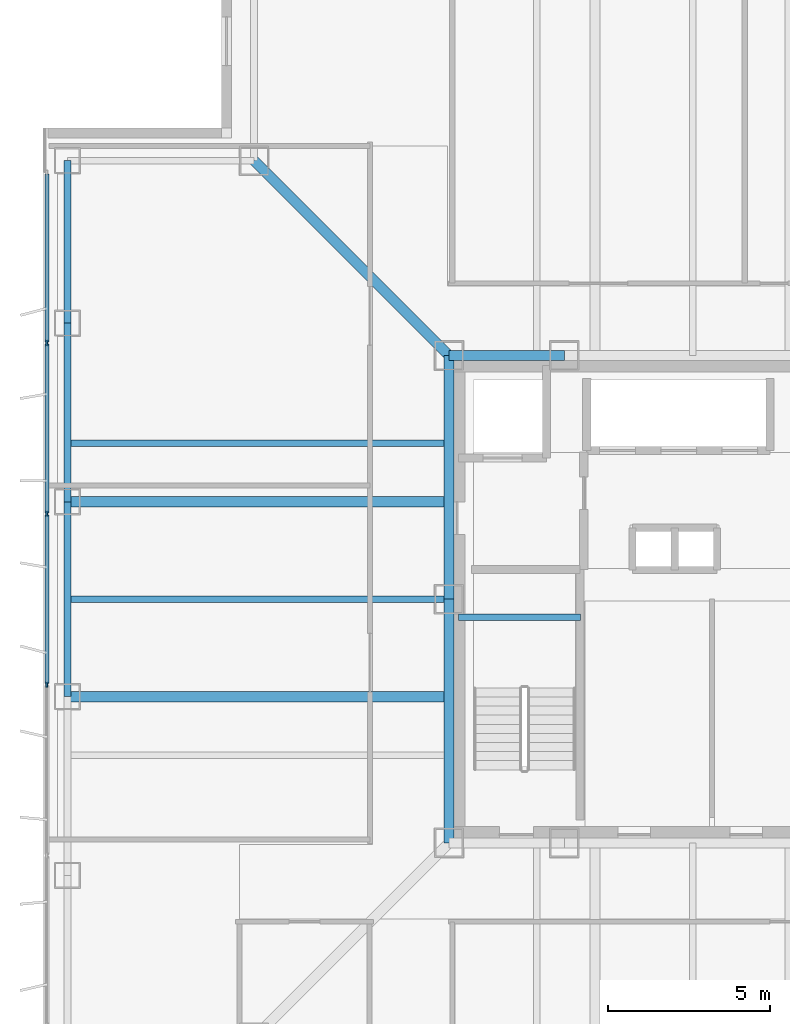
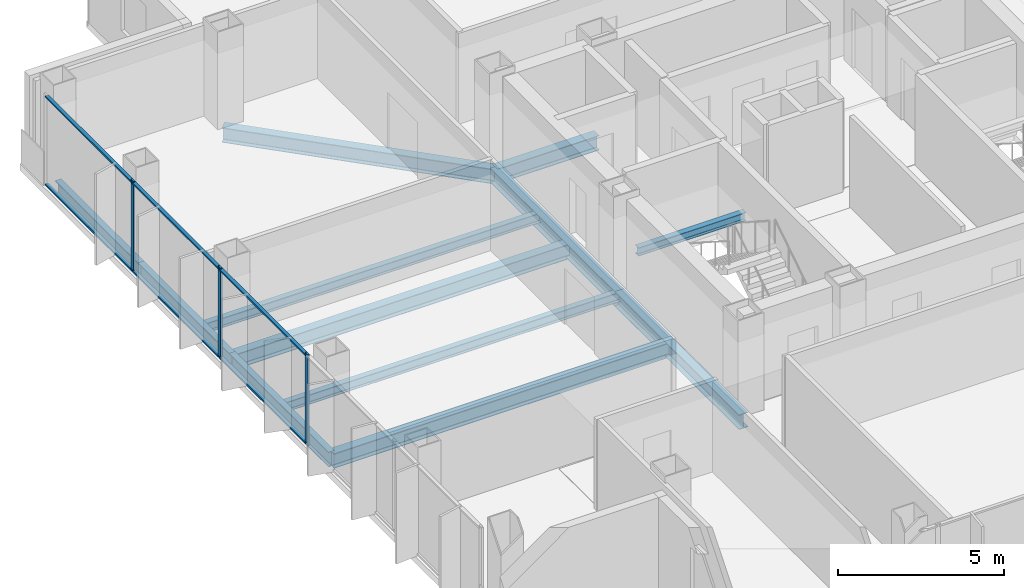
# One storey, part 4 of 17: 12 beams, 9 members, 1 element without a shape of its own.
"""IFC4 building model written with IfcOpenShell, lengths in metres."""

import ifcopenshell
import ifcopenshell.guid

model = None  # the IFC model being written
_history = None  # IfcOwnerHistory: only IFC2X3 demands one
_inside = {}  # id of a spatial element -> (the spatial element, [elements in it])
_under = {}  # id of a project, library or spatial element -> (it, [spatial elements below it])
_declared = {}  # id of a project -> (the project, [libraries it declares])
_typed = {}  # id of a type object -> (the type object, [elements of that type])
_made_of = {}  # id of a material, layer set ... -> (it, [elements and type objects made of it])


def new_model(schema):
    """Start an empty IFC model of exactly this schema.

    Asked for "IFC4X3", IfcOpenShell would pick the latest addendum, in which some entities
    have other attributes; the version numbers below select the first issue.
    IFC2X3 requires an IfcOwnerHistory on every rooted entity: one is made here for all.
    """
    global model, _history
    if schema == "IFC4X3":
        model = ifcopenshell.file(schema_version=(4, 3, 0, 0))
    else:
        model = ifcopenshell.file(schema=schema)
    _inside.clear()
    _under.clear()
    _declared.clear()
    _typed.clear()
    _made_of.clear()
    _history = None
    if model.schema == "IFC2X3":
        org = make("IfcOrganization", Name="unknown")
        user = make(
            "IfcPersonAndOrganization",
            ThePerson=make("IfcPerson", FamilyName="unknown"),
            TheOrganization=org,
        )
        app = make(
            "IfcApplication",
            ApplicationDeveloper=org,
            Version="unknown",
            ApplicationFullName="unknown",
            ApplicationIdentifier="unknown",
        )
        _history = make(
            "IfcOwnerHistory",
            OwningUser=user,
            OwningApplication=app,
            ChangeAction="ADDED",
            CreationDate=0,
        )
    return model


def make(cls, **values):
    """One entity of the class cls with the attributes given. An attribute that is None is left unset."""
    return model.create_entity(
        cls, **{name: value for name, value in values.items() if value is not None}
    )


def rooted(cls, **values):
    """An entity with a GlobalId (a new one), such as an element, a storey or a relation."""
    return make(cls, GlobalId=ifcopenshell.guid.new(), OwnerHistory=_history, **values)


def si_unit(unit_type, name, prefix=None):
    """IfcSIUnit, for example si_unit("LENGTHUNIT", "METRE", prefix="MILLI")."""
    return make("IfcSIUnit", UnitType=unit_type, Prefix=prefix, Name=name)


def assignment(units):
    """IfcUnitAssignment: the units of a project."""
    return None if units is None else make("IfcUnitAssignment", Units=units)


def point(xyz):
    """IfcCartesianPoint."""
    return None if xyz is None else make("IfcCartesianPoint", Coordinates=xyz)


def direction(xyz):
    """IfcDirection."""
    return None if xyz is None else make("IfcDirection", DirectionRatios=xyz)


def frame(location, z_axis=None, x_axis=None):
    """IfcAxis2Placement3D, a coordinate frame: its origin and axes. An axis left out is left unset."""
    return make(
        "IfcAxis2Placement3D",
        Location=point(location),
        Axis=direction(z_axis),
        RefDirection=direction(x_axis),
    )


def frame_2d(location, x_axis=None):
    """IfcAxis2Placement2D, a coordinate frame in the plane: its origin and x axis."""
    return make(
        "IfcAxis2Placement2D", Location=point(location), RefDirection=direction(x_axis)
    )


def origin():
    """The frame at (0, 0, 0) with its axes left unset."""
    return frame((0.0, 0.0, 0.0))


def origin_2d():
    """The frame at (0, 0) in the plane with its x axis left unset."""
    return frame_2d((0.0, 0.0))


def place(relative_to, where):
    """IfcLocalPlacement: puts the frame where relative to a parent placement (None: the world)."""
    return make(
        "IfcLocalPlacement", PlacementRelTo=relative_to, RelativePlacement=where
    )


def context(
    kind, dimensions, precision=None, world=None, true_north=None, identifier=None
):
    """IfcGeometricRepresentationContext, for example the 3D "Model" context."""
    return make(
        "IfcGeometricRepresentationContext",
        ContextIdentifier=identifier,
        ContextType=kind,
        CoordinateSpaceDimension=dimensions,
        Precision=precision,
        WorldCoordinateSystem=world,
        TrueNorth=true_north,
    )


def subcontext(parent, identifier, kind, view, scale=None):
    """IfcGeometricRepresentationSubContext, for example "Body" below "Model"."""
    return make(
        "IfcGeometricRepresentationSubContext",
        ContextIdentifier=identifier,
        ContextType=kind,
        ParentContext=parent,
        TargetScale=scale,
        TargetView=view,
    )


def project(units=None, contexts=None):
    """IfcProject with its units and contexts."""
    return rooted(
        "IfcProject",
        Name="project",
        RepresentationContexts=contexts,
        UnitsInContext=assignment(units),
    )


def spatial(cls, under=None, at=None, **own):
    """A site, building, storey or space (cls), placed at a placement, below another one or the project."""
    s = rooted(cls, ObjectPlacement=at, **own)
    if under is not None:
        _under.setdefault(under.id(), (under, []))[1].append(s)
    return s


def profile(cls, at=None, kind="AREA", **sizes):
    """A parametric profile (cls). Its sizes go by their IFC names, for example OverallWidth=200.0."""
    return make(cls, ProfileType=kind, Position=at, **sizes)


def rectangle(**sizes):
    """IfcRectangleProfileDef."""
    return profile("IfcRectangleProfileDef", **sizes)


def i_section(**sizes):
    """IfcIShapeProfileDef."""
    return profile("IfcIShapeProfileDef", **sizes)


def extrude(swept, where, along, depth):
    """IfcExtrudedAreaSolid: the profile swept, set in the frame where, extruded along a direction by depth."""
    return make(
        "IfcExtrudedAreaSolid",
        SweptArea=swept,
        Position=where,
        ExtrudedDirection=direction(along),
        Depth=depth,
    )


def shape(context_of_items, identifier, shape_type, items):
    """IfcShapeRepresentation: the items that make up one representation, for example the "Body"."""
    return make(
        "IfcShapeRepresentation",
        ContextOfItems=context_of_items,
        RepresentationIdentifier=identifier,
        RepresentationType=shape_type,
        Items=items,
    )


def material(Name=None, Category=None):
    """IfcMaterial."""
    return make("IfcMaterial", Name=Name, Category=Category)


def layer(
    of_material, thickness, ventilated=None, Name=None, Category=None, Priority=None
):
    """IfcMaterialLayer: one layer of a wall or slab, of a material (None: an air gap)."""
    return make(
        "IfcMaterialLayer",
        Material=of_material,
        LayerThickness=thickness,
        IsVentilated=ventilated,
        Name=Name,
        Category=Category,
        Priority=Priority,
    )


def layer_set(layers, Name=None):
    """IfcMaterialLayerSet."""
    return make("IfcMaterialLayerSet", MaterialLayers=layers, LayerSetName=Name)


def material_profile(
    of_material, cross_section, Name=None, Category=None, Priority=None
):
    """IfcMaterialProfile: a cross section and its material."""
    return make(
        "IfcMaterialProfile",
        Name=Name,
        Material=of_material,
        Profile=cross_section,
        Priority=Priority,
        Category=Category,
    )


def profile_set(profiles, Name=None, composite=None):
    """IfcMaterialProfileSet."""
    return make(
        "IfcMaterialProfileSet",
        Name=Name,
        MaterialProfiles=profiles,
        CompositeProfile=composite,
    )


def made_of(thing, what):
    """Note that an element or type object is made of a material, layer set ...; save() writes the relation."""
    if what is not None:
        _made_of.setdefault(what.id(), (what, []))[1].append(thing)
    return thing


def type_object(cls, material=None, **own):
    """A type object (cls), such as IfcWallType, which elements share."""
    return made_of(rooted(cls, **own), material)


def element(
    cls,
    number,
    at=None,
    inside=None,
    cuts=None,
    type_object=None,
    material=None,
    context=None,
    identifier="Body",
    shape_type=None,
    held_by="IfcProductDefinitionShape",
    body=None,
    shapes=None,
    **own,
):
    """One element of the class cls, such as IfcWall. Its Tag is "e" and its number.

    at: its placement. inside: the storey or other place that contains it. cuts: it is an
    opening in that element (IfcRelVoidsElement). A single representation is given by context,
    identifier, shape_type and body (its items); several are given by shapes. held_by: the class
    of the entity that holds the representations. save() writes the other relations.
    """
    e = rooted(cls, Tag="e%d" % number, ObjectPlacement=at, **own)
    if body is not None:
        shapes = [shape(context, identifier, shape_type, body)]
    if shapes is not None:
        e.Representation = make(held_by, Representations=shapes)
    if inside is not None:
        _inside.setdefault(inside.id(), (inside, []))[1].append(e)
    if cuts is not None:
        rooted(
            "IfcRelVoidsElement", RelatingBuildingElement=cuts, RelatedOpeningElement=e
        )
    if type_object is not None:
        _typed.setdefault(type_object.id(), (type_object, []))[1].append(e)
    return made_of(e, material)


def aggregate(whole, parts):
    """IfcRelAggregates: a whole, such as a stair, and the parts it consists of."""
    return rooted("IfcRelAggregates", RelatingObject=whole, RelatedObjects=parts)


def save(model, path):
    """Write the relations noted so far, then the file.

    IfcRelAggregates (storeys below a building ...), IfcRelContainedInSpatialStructure (elements
    in a storey), IfcRelDefinesByType, IfcRelAssociatesMaterial and IfcRelDeclares: one each for
    every whole, place, type object, material and project.
    """
    for whole, parts in _under.values():
        aggregate(whole, parts)
    for where, things in _inside.values():
        rooted(
            "IfcRelContainedInSpatialStructure",
            RelatedElements=things,
            RelatingStructure=where,
        )
    for kind, things in _typed.values():
        rooted("IfcRelDefinesByType", RelatedObjects=things, RelatingType=kind)
    for what, things in _made_of.values():
        rooted("IfcRelAssociatesMaterial", RelatedObjects=things, RelatingMaterial=what)
    for by, libraries in _declared.values():
        rooted("IfcRelDeclares", RelatingContext=by, RelatedDefinitions=libraries)
    model.write(path)


model = new_model("IFC4")

# Units and contexts
model_context = context("Model", 3, precision=1e-05, world=origin(), true_north=direction((0.0, 1.0)))
body_context = subcontext(model_context, "Body", "Model", "MODEL_VIEW")
ifc_project = project(units=[si_unit("LENGTHUNIT", "METRE"), si_unit("AREAUNIT", "SQUARE_METRE"), si_unit("VOLUMEUNIT", "CUBIC_METRE"), si_unit("PLANEANGLEUNIT", "RADIAN"), si_unit("MASSUNIT", "GRAM", prefix="KILO")], contexts=[model_context])

# Site, building, storey
site_placement = place(None, origin())
site = spatial("IfcSite", under=ifc_project, at=site_placement, CompositionType="ELEMENT")
building_placement = place(site_placement, origin())
building = spatial("IfcBuilding", under=site, at=building_placement, Name="Trevonay Congress Spire", CompositionType="ELEMENT")
storey_placement = place(building_placement, frame((0.0, 0.0, 184.199951171875)))
storey = spatial("IfcBuildingStorey", under=building, at=storey_placement, Name="L47", CompositionType="ELEMENT", Elevation=184.199951171875)

# Beams
ifc_material_1 = material(Name="Steel ASTM A572 Grade 50", Category="steel")
ifc_material_profile_1 = material_profile(ifc_material_1, i_section(OverallWidth=0.31201171875, OverallDepth=0.54296875, WebThickness=0.0126953125, FlangeThickness=0.020263671875, FilletRadius=0.014892578125, at=origin_2d()), Name="W530x150")
ifc_profile_set_1 = profile_set([ifc_material_profile_1], Name="Steel ASTM A572 Grade 50")
beam_type_1 = type_object("IfcBeamType", Name="BM-GIRD-W530X150", PredefinedType="BEAM", material=ifc_profile_set_1)
beam_1_placement = place(storey_placement, frame((-7.5, 7.5, -0.511474609375), z_axis=(1.0, 0.0, 0.0), x_axis=(0.0, 1.0, 0.0)))
element("IfcBeam", 1, at=beam_1_placement, inside=storey, type_object=beam_type_1, Name="L47 structural beam BM-L47-CR-N1", PredefinedType="BEAM", context=body_context, shape_type="SweptSolid", body=[
    extrude(i_section(OverallWidth=0.31201171875, OverallDepth=0.54296875, WebThickness=0.0126953125, FlangeThickness=0.020263671875, FilletRadius=0.014892578125, at=origin_2d()), origin(), (0.0, 0.0, 1.0), 3.550048828125),
])
for number, where, z_axis, x_axis, name in (
    (2, (-7.5, -7.5, -0.511474609375), (0.0, 1.0, 0.0), (-1.0, 0.0, 0.0), "L47 structural beam BM-L47-CR-W1"),
    (3, (-7.5, 0.0, -0.511474609375), (0.0, 1.0, 0.0), (-1.0, 0.0, 0.0), "L47 structural beam BM-L47-CR-W2"),
):
    element("IfcBeam", number, at=place(storey_placement, frame(where, z_axis=z_axis, x_axis=x_axis)), inside=storey, type_object=beam_type_1, Name=name, PredefinedType="BEAM", context=body_context, shape_type="SweptSolid", body=[
        extrude(i_section(OverallWidth=0.31201171875, OverallDepth=0.54296875, WebThickness=0.0126953125, FlangeThickness=0.020263671875, FilletRadius=0.014892578125, at=origin_2d()), origin(), (0.0, 0.0, 1.0), 7.5),
    ])
beam_2_placement = place(storey_placement, frame((-7.5, 7.5, -0.511474609375), z_axis=(-0.707106781187, 0.707106781187, 0.0), x_axis=(-0.707106781187, -0.707106781187, 0.0)))
element("IfcBeam", 4, at=beam_2_placement, inside=storey, type_object=beam_type_1, Name="L47 structural beam BM-L47-CDNW", PredefinedType="BEAM", context=body_context, shape_type="SweptSolid", body=[
    extrude(i_section(OverallWidth=0.31201171875, OverallDepth=0.54296875, WebThickness=0.0126953125, FlangeThickness=0.020263671875, FilletRadius=0.014892578125, at=origin_2d()), origin(), (0.0, 0.0, 1.0), 8.4853515625),
])
for number, where, z_axis, x_axis, name in (
    (5, (-7.5, -3.0, -0.511474609375), (-1.0, 0.0, 0.0), (0.0, -1.0, 0.0), "L47 structural beam BM-L47-GW-M"),
    (6, (-7.5, 3.0, -0.511474609375), (-1.0, 0.0, 0.0), (0.0, -1.0, 0.0), "L47 structural beam BM-L47-GW-P"),
):
    element("IfcBeam", number, at=place(storey_placement, frame(where, z_axis=z_axis, x_axis=x_axis)), inside=storey, type_object=beam_type_1, Name=name, PredefinedType="BEAM", context=body_context, shape_type="SweptSolid", body=[
        extrude(i_section(OverallWidth=0.31201171875, OverallDepth=0.54296875, WebThickness=0.0126953125, FlangeThickness=0.020263671875, FilletRadius=0.014892578125, at=origin_2d()), origin(), (0.0, 0.0, 1.0), 11.75),
    ])
ifc_material_profile_2 = material_profile(ifc_material_1, i_section(OverallWidth=0.2119140625, OverallDepth=0.5439453125, WebThickness=0.01318359375, FlangeThickness=0.021240234375, FilletRadius=0.014892578125, at=origin_2d()), Name="W530x123")
ifc_profile_set_2 = profile_set([ifc_material_profile_2], Name="Steel ASTM A572 Grade 50")
beam_type_2 = type_object("IfcBeamType", Name="BM-RING-W530X123", PredefinedType="BEAM", material=ifc_profile_set_2)
beam_3_placement = place(storey_placement, frame((-19.25, -3.0, -0.511962890625), z_axis=(0.0, 1.0, 0.0), x_axis=(-1.0, 0.0, 0.0)))
element("IfcBeam", 7, at=beam_3_placement, inside=storey, type_object=beam_type_2, Name="L47 structural beam BM-L47-PW3", PredefinedType="BEAM", context=body_context, shape_type="SweptSolid", body=[
    extrude(i_section(OverallWidth=0.2119140625, OverallDepth=0.5439453125, WebThickness=0.01318359375, FlangeThickness=0.021240234375, FilletRadius=0.014892578125, at=origin_2d()), origin(), (0.0, 0.0, 1.0), 6.0),
])
beam_4_placement = place(storey_placement, frame((-19.25, 3.0, -0.511962890625), z_axis=(0.0, 1.0, 0.0), x_axis=(-1.0, 0.0, 0.0)))
element("IfcBeam", 8, at=beam_4_placement, inside=storey, type_object=beam_type_2, Name="L47 structural beam BM-L47-PW4", PredefinedType="BEAM", context=body_context, shape_type="SweptSolid", body=[
    extrude(i_section(OverallWidth=0.2119140625, OverallDepth=0.5439453125, WebThickness=0.01318359375, FlangeThickness=0.021240234375, FilletRadius=0.014892578125, at=origin_2d()), origin(), (0.0, 0.0, 1.0), 5.5),
])
beam_5_placement = place(storey_placement, frame((-19.25, 8.5, -0.511962890625), z_axis=(0.0, 1.0, 0.0), x_axis=(-1.0, 0.0, 0.0)))
element("IfcBeam", 9, at=beam_5_placement, inside=storey, type_object=beam_type_2, Name="L47 structural beam BM-L47-PW5", PredefinedType="BEAM", context=body_context, shape_type="SweptSolid", body=[
    extrude(i_section(OverallWidth=0.2119140625, OverallDepth=0.5439453125, WebThickness=0.01318359375, FlangeThickness=0.021240234375, FilletRadius=0.014892578125, at=origin_2d()), origin(), (0.0, 0.0, 1.0), 5.0),
])

# Curtain wall, members
ifc_material_2 = material(Name="Pale Anodised Aluminium EN AW-6063-T6", Category="aluminium")
ifc_layer = layer(ifc_material_2, 0.169921875, Name="Pale Anodised Aluminium EN AW-6063-T6")
ifc_layer_set = layer_set([ifc_layer], Name="Pale Anodised Aluminium EN AW-6063-T6")
curtain_wall_type = type_object("IfcCurtainWallType", Name="CW-SYS04-CORP-PALE-METAL", PredefinedType="NOTDEFINED", material=ifc_layer_set)
curtain_wall_placement = place(storey_placement, origin())
curtain_wall = element("IfcCurtainWall", 10, at=curtain_wall_placement, inside=storey, type_object=curtain_wall_type, Name="L47 W unitised curtain wall", PredefinedType="NOTDEFINED")
ifc_material_profile_3 = material_profile(ifc_material_2, rectangle(XDim=0.06005859375, YDim=0.159912109375, at=origin_2d()), Name="CW-MULLION-160-ALUMINIUM")
ifc_profile_set_3 = profile_set([ifc_material_profile_3], Name="Pale Anodised Aluminium EN AW-6063-T6")
member_type_1 = type_object("IfcMemberType", Name="CW-MULLION-160-ALUMINIUM", PredefinedType="MULLION", material=ifc_profile_set_3)
member_1_placement = place(storey_placement, frame((-19.8798828125, -2.6298828125, 0.0), z_axis=(0.0, 0.0, 1.0), x_axis=(-1.0, 0.0, 0.0)))
member_1 = element("IfcMember", 11, at=member_1_placement, type_object=member_type_1, Name="CW04 mullion 3", PredefinedType="MULLION", context=body_context, shape_type="SweptSolid", body=[
    extrude(rectangle(XDim=0.06005859375, YDim=0.159912109375, at=origin_2d()), origin(), (0.0, 0.0, 1.0), 3.360107421875),
])
member_2_placement = place(storey_placement, frame((-19.8798828125, 2.6298828125, 0.0), z_axis=(0.0, 0.0, 1.0), x_axis=(-1.0, 0.0, 0.0)))
member_2 = element("IfcMember", 12, at=member_2_placement, type_object=member_type_1, Name="CW04 mullion 4", PredefinedType="MULLION", context=body_context, shape_type="SweptSolid", body=[
    extrude(rectangle(XDim=0.06005859375, YDim=0.159912109375, at=origin_2d()), origin(), (0.0, 0.0, 1.0), 3.360107421875),
])
member_3_placement = place(storey_placement, frame((-19.8798828125, 7.889892578125, 0.0), z_axis=(0.0, 0.0, 1.0), x_axis=(-1.0, 0.0, 0.0)))
member_3 = element("IfcMember", 13, at=member_3_placement, type_object=member_type_1, Name="CW04 mullion 5", PredefinedType="MULLION", context=body_context, shape_type="SweptSolid", body=[
    extrude(rectangle(XDim=0.06005859375, YDim=0.159912109375, at=origin_2d()), origin(), (0.0, 0.0, 1.0), 3.360107421875),
])
ifc_material_profile_4 = material_profile(ifc_material_2, rectangle(XDim=0.1201171875, YDim=0.06005859375, at=origin_2d()), Name="CW-TRANSOM-120-ALUMINIUM")
ifc_profile_set_4 = profile_set([ifc_material_profile_4], Name="Pale Anodised Aluminium EN AW-6063-T6")
member_type_2 = type_object("IfcMemberType", Name="CW-TRANSOM-120-ALUMINIUM", PredefinedType="USERDEFINED", material=ifc_profile_set_4)
member_4_placement = place(storey_placement, frame((-19.8798828125, -2.60009765625, 0.06005859375), z_axis=(0.0, 1.0, 0.0), x_axis=(-1.0, 0.0, 0.0)))
member_4 = element("IfcMember", 14, at=member_4_placement, type_object=member_type_2, Name="CW04 transom 3.1", ObjectType="TRANSOM", PredefinedType="USERDEFINED", context=body_context, shape_type="SweptSolid", body=[
    extrude(rectangle(XDim=0.1201171875, YDim=0.06005859375, at=origin_2d()), origin(), (0.0, 0.0, 1.0), 5.2001953125),
])
member_5_placement = place(storey_placement, frame((-19.8798828125, -2.60009765625, 3.300048828125), z_axis=(0.0, 1.0, 0.0), x_axis=(-1.0, 0.0, 0.0)))
member_5 = element("IfcMember", 15, at=member_5_placement, type_object=member_type_2, Name="CW04 transom 3.2", ObjectType="TRANSOM", PredefinedType="USERDEFINED", context=body_context, shape_type="SweptSolid", body=[
    extrude(rectangle(XDim=0.1201171875, YDim=0.06005859375, at=origin_2d()), origin(), (0.0, 0.0, 1.0), 5.2001953125),
])
member_6_placement = place(storey_placement, frame((-19.8798828125, 2.659912109375, 0.06005859375), z_axis=(0.0, 1.0, 0.0), x_axis=(-1.0, 0.0, 0.0)))
member_6 = element("IfcMember", 16, at=member_6_placement, type_object=member_type_2, Name="CW04 transom 4.1", ObjectType="TRANSOM", PredefinedType="USERDEFINED", context=body_context, shape_type="SweptSolid", body=[
    extrude(rectangle(XDim=0.1201171875, YDim=0.06005859375, at=origin_2d()), origin(), (0.0, 0.0, 1.0), 5.2001953125),
])
member_7_placement = place(storey_placement, frame((-19.8798828125, 2.659912109375, 3.300048828125), z_axis=(0.0, 1.0, 0.0), x_axis=(-1.0, 0.0, 0.0)))
member_7 = element("IfcMember", 17, at=member_7_placement, type_object=member_type_2, Name="CW04 transom 4.2", ObjectType="TRANSOM", PredefinedType="USERDEFINED", context=body_context, shape_type="SweptSolid", body=[
    extrude(rectangle(XDim=0.1201171875, YDim=0.06005859375, at=origin_2d()), origin(), (0.0, 0.0, 1.0), 5.2001953125),
])
member_8_placement = place(storey_placement, frame((-19.8798828125, 7.919921875, 0.06005859375), z_axis=(0.0, 1.0, 0.0), x_axis=(-1.0, 0.0, 0.0)))
member_8 = element("IfcMember", 18, at=member_8_placement, type_object=member_type_2, Name="CW04 transom 5.1", ObjectType="TRANSOM", PredefinedType="USERDEFINED", context=body_context, shape_type="SweptSolid", body=[
    extrude(rectangle(XDim=0.1201171875, YDim=0.06005859375, at=origin_2d()), origin(), (0.0, 0.0, 1.0), 5.170166015625),
])
member_9_placement = place(storey_placement, frame((-19.8798828125, 7.919921875, 3.300048828125), z_axis=(0.0, 1.0, 0.0), x_axis=(-1.0, 0.0, 0.0)))
member_9 = element("IfcMember", 19, at=member_9_placement, type_object=member_type_2, Name="CW04 transom 5.2", ObjectType="TRANSOM", PredefinedType="USERDEFINED", context=body_context, shape_type="SweptSolid", body=[
    extrude(rectangle(XDim=0.1201171875, YDim=0.06005859375, at=origin_2d()), origin(), (0.0, 0.0, 1.0), 5.170166015625),
])
aggregate(curtain_wall, [member_1, member_2, member_3, member_4, member_5, member_6, member_7, member_8, member_9])

# Beams
ifc_material_profile_5 = material_profile(ifc_material_1, i_section(OverallWidth=0.205078125, OverallDepth=0.35400390625, WebThickness=0.009521484375, FlangeThickness=0.016845703125, FilletRadius=0.011962890625, at=origin_2d()), Name="W360x79")
ifc_profile_set_5 = profile_set([ifc_material_profile_5], Name="Steel ASTM A572 Grade 50")
beam_type_3 = type_object("IfcBeamType", Name="JS-COMP-W360X79", PredefinedType="JOIST", material=ifc_profile_set_5)
for number, where, z_axis, x_axis, name in (
    (20, (-19.25, 0.0, -0.4169921875), (1.0, 0.0, 0.0), (0.0, 1.0, 0.0), "L47 structural beam JS-L47-EW-W2"),
    (21, (-19.25, 4.800048828125, -0.4169921875), (1.0, 0.0, 0.0), (0.0, 1.0, 0.0), "L47 structural beam JS-L47-EW-W3"),
):
    element("IfcBeam", number, at=place(storey_placement, frame(where, z_axis=z_axis, x_axis=x_axis)), inside=storey, type_object=beam_type_3, Name=name, PredefinedType="JOIST", context=body_context, shape_type="SweptSolid", body=[
        extrude(i_section(OverallWidth=0.205078125, OverallDepth=0.35400390625, WebThickness=0.009521484375, FlangeThickness=0.016845703125, FilletRadius=0.011962890625, at=origin_2d()), origin(), (0.0, 0.0, 1.0), 11.75),
    ])
ifc_material_profile_6 = material_profile(ifc_material_1, i_section(OverallWidth=0.2041015625, OverallDepth=0.305908203125, WebThickness=0.008544921875, FlangeThickness=0.0146484375, FilletRadius=0.010986328125, at=origin_2d()), Name="W310x67")
ifc_profile_set_6 = profile_set([ifc_material_profile_6], Name="Steel ASTM A572 Grade 50")
beam_type_4 = type_object("IfcBeamType", Name="LN-CORE-W310X67", PredefinedType="LINTEL", material=ifc_profile_set_6)
beam_6_placement = place(storey_placement, frame((-7.199951171875, -0.550048828125, 1.447021484375), z_axis=(1.0, 0.0, 0.0), x_axis=(0.0, 1.0, 0.0)))
element("IfcBeam", 22, at=beam_6_placement, inside=storey, type_object=beam_type_4, Name="L47 structural beam BM-L47-HL-ST1", PredefinedType="LINTEL", context=body_context, shape_type="SweptSolid", body=[
    extrude(i_section(OverallWidth=0.2041015625, OverallDepth=0.305908203125, WebThickness=0.008544921875, FlangeThickness=0.0146484375, FilletRadius=0.010986328125, at=origin_2d()), origin(), (0.0, 0.0, 1.0), 3.75),
])

save(model, "model.ifc")
